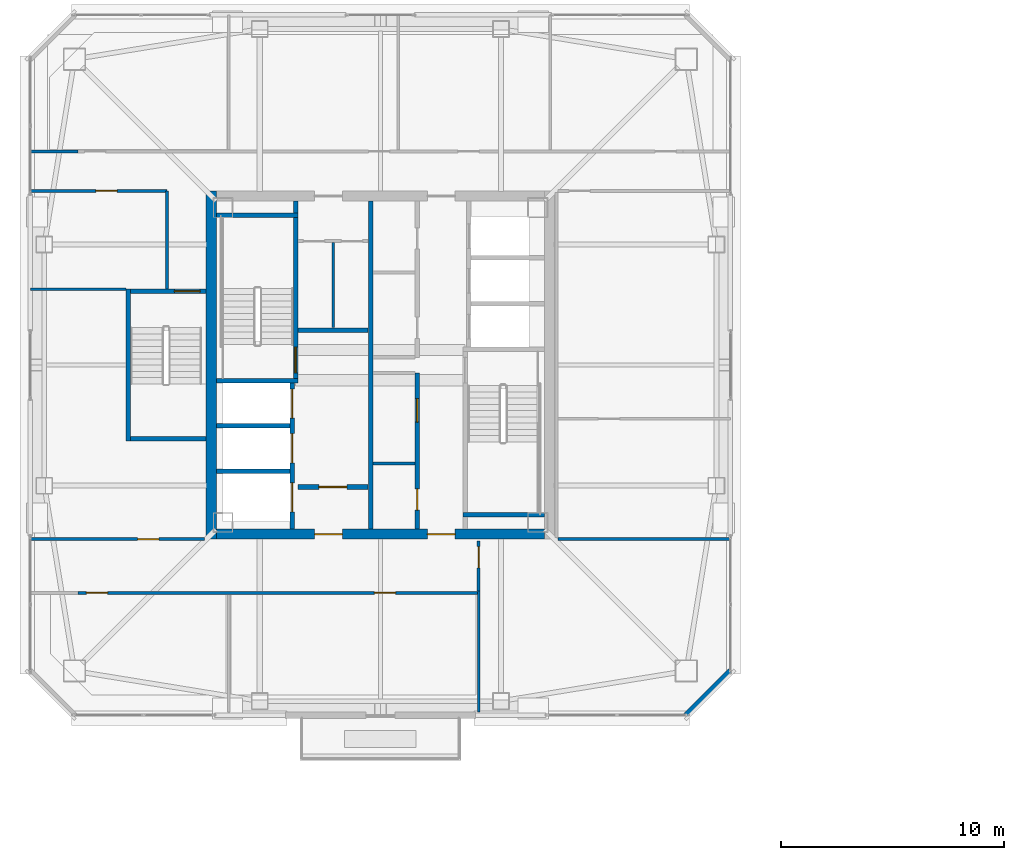
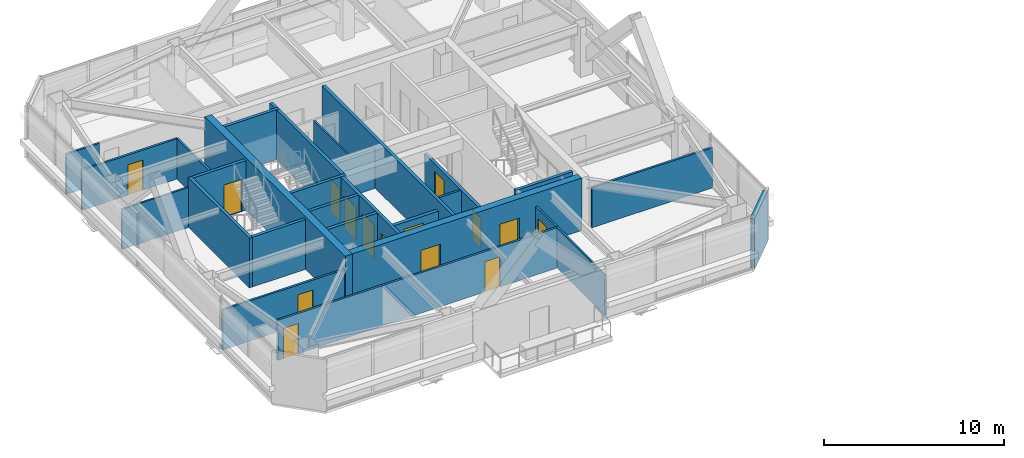
# One storey, part 30 of 39: 28 walls, 15 doors, 15 openings.
"""IFC4 building model written with IfcOpenShell, lengths in metres."""

from ifc_helpers import new_model, si_unit, direction, frame, frame_2d, origin, place, context, subcontext, project, spatial, rectangle, extrude, material, layer, layer_set, type_object, element, fill, save


model = new_model("IFC4")

# Units and contexts
model_context = context("Model", 3, precision=1e-05, world=origin(), true_north=direction((0.0, 1.0)))
body_context = subcontext(model_context, "Body", "Model", "MODEL_VIEW")
ifc_project = project(units=[si_unit("LENGTHUNIT", "METRE"), si_unit("AREAUNIT", "SQUARE_METRE"), si_unit("VOLUMEUNIT", "CUBIC_METRE"), si_unit("PLANEANGLEUNIT", "RADIAN"), si_unit("MASSUNIT", "GRAM", prefix="KILO")], contexts=[model_context])

# Site, building, storey
site_placement = place(None, origin())
site = spatial("IfcSite", under=ifc_project, at=site_placement, CompositionType="ELEMENT")
building_placement = place(site_placement, origin())
building = spatial("IfcBuilding", under=site, at=building_placement, Name="Tashvorn Skyway Center", CompositionType="ELEMENT")
storey_placement = place(building_placement, frame((0.0, 0.0, 239.699951171875)))
storey = spatial("IfcBuildingStorey", under=building, at=storey_placement, Name="L65", CompositionType="ELEMENT", Elevation=239.699951171875)

# Wall
ifc_material_1 = material(Name="Concrete C50/60", Category="concrete")
ifc_layer_1 = layer(ifc_material_1, 0.449951171875)
ifc_layer_set_1 = layer_set([ifc_layer_1], Name="Concrete C50/60")
wall_type_1 = type_object("IfcWallType", Name="WALL-CORE-450", PredefinedType="SHEAR", material=ifc_layer_set_1)
wall_1_placement = place(storey_placement, frame((34.425048828125, 24.199951171875, 0.0), z_axis=(0.0, 0.0, 1.0), x_axis=(0.0, 1.0, 0.0)))
element("IfcWall", 1, at=wall_1_placement, inside=storey, type_object=wall_type_1, Name="Tower 1 L65 West Core Shear Wall", PredefinedType="SHEAR", context=body_context, shape_type="SweptSolid", body=[
    extrude(rectangle(XDim=15.60009765625, YDim=0.449951171875, at=frame_2d((7.800048828125, 0.0))), origin(), (0.0, 0.0, 1.0), 3.550048828125),
])

# Wall, openings, doors
wall_2_placement = place(storey_placement, frame((49.35009765625, 24.425048828125, 0.0), z_axis=(0.0, 0.0, 1.0), x_axis=(-1.0, 0.0, 0.0)))
wall_2 = element("IfcWall", 2, at=wall_2_placement, inside=storey, type_object=wall_type_1, Name="Tower 1 L65 South Core Shear Wall", PredefinedType="SHEAR", context=body_context, shape_type="SweptSolid", body=[
    extrude(rectangle(XDim=14.7001953125, YDim=0.449951171875, at=frame_2d((7.35009765625, 0.0))), origin(), (0.0, 0.0, 1.0), 3.550048828125),
])
opening_1_placement = place(wall_2_placement, frame((9.050048828125, 0.0, 0.0)))
opening_1 = element("IfcOpeningElement", 3, at=opening_1_placement, cuts=wall_2, Name="Opening D-FFL-1250", PredefinedType="OPENING", context=body_context, shape_type="SweptSolid", body=[
    extrude(rectangle(XDim=1.25, YDim=2.25, at=frame_2d((0.625, 1.125))), frame((0.0, 0.23486328125, 0.0), z_axis=(0.0, -1.0, 0.0), x_axis=(1.0, 0.0, 0.0)), (0.0, 0.0, 1.0), 0.469970703125),
])
opening_2_placement = place(wall_2_placement, frame((4.0, 0.0, 0.0)))
opening_2 = element("IfcOpeningElement", 4, at=opening_2_placement, cuts=wall_2, Name="Opening D-FFL-1250", PredefinedType="OPENING", context=body_context, shape_type="SweptSolid", body=[
    extrude(rectangle(XDim=1.25, YDim=2.25, at=frame_2d((0.625, 1.125))), frame((0.0, 0.23486328125, 0.0), z_axis=(0.0, -1.0, 0.0), x_axis=(1.0, 0.0, 0.0)), (0.0, 0.0, 1.0), 0.469970703125),
])
ifc_material_2 = material(Name="Hollow galvanized steel fire door assembly", Category="steel")
door_type_1 = type_object("IfcDoorType", Name="DOOR-FFL-1250", OperationType="NOTDEFINED", PredefinedType="DOOR", material=ifc_material_2)
door_1_placement = place(opening_1_placement, origin())
door_1 = element("IfcDoor", 5, at=door_1_placement, inside=storey, type_object=door_type_1, Name="Tower 1 L65 Core South Firefighting Exit Door", OperationType="SINGLE_SWING_LEFT", OverallHeight=2.25, OverallWidth=1.25, PredefinedType="DOOR", context=body_context, shape_type="SweptSolid", body=[
    extrude(rectangle(XDim=1.25, YDim=2.25, at=frame_2d((0.625, 1.125))), frame((0.0, 0.02490234375, 0.0), z_axis=(0.0, -1.0, 0.0), x_axis=(1.0, 0.0, 0.0)), (0.0, 0.0, 1.0), 0.050048828125),
])
fill(opening_1, door_1)
door_2_placement = place(opening_2_placement, origin())
door_2 = element("IfcDoor", 6, at=door_2_placement, inside=storey, type_object=door_type_1, Name="Tower 1 L65 Core South Lift Lobby Door", OperationType="SINGLE_SWING_RIGHT", OverallHeight=2.25, OverallWidth=1.25, PredefinedType="DOOR", context=body_context, shape_type="SweptSolid", body=[
    extrude(rectangle(XDim=1.25, YDim=2.25, at=frame_2d((0.625, 1.125))), frame((0.0, 0.02490234375, 0.0), z_axis=(0.0, -1.0, 0.0), x_axis=(1.0, 0.0, 0.0)), (0.0, 0.0, 1.0), 0.050048828125),
])
fill(opening_2, door_2)

# Walls
ifc_material_3 = material(Name="Precast concrete C40/50", Category="concrete")
ifc_layer_2 = layer(ifc_material_3, 0.280029296875)
ifc_layer_set_2 = layer_set([ifc_layer_2], Name="Precast concrete C40/50")
wall_type_2 = type_object("IfcWallType", Name="WALL-EXT-280", PredefinedType="SOLIDWALL", material=ifc_layer_set_2)
wall_3_placement = place(storey_placement, frame((57.699951171875, 18.300048828125, 0.0), z_axis=(0.0, 0.0, 1.0), x_axis=(-0.707106781187, -0.707106781187, 0.0)))
element("IfcWall", 7, at=wall_3_placement, inside=storey, type_object=wall_type_2, Name="Tower 1 L65 SE Precast Chamfer Wall", PredefinedType="SOLIDWALL", context=body_context, shape_type="SweptSolid", body=[
    extrude(rectangle(XDim=2.828369140625, YDim=0.280029296875, at=frame_2d((1.4140625, 0.0))), origin(), (0.0, 0.0, 1.0), 3.3701171875),
])
ifc_material_4 = material(Name="Concrete C40/50", Category="concrete")
ifc_layer_3 = layer(ifc_material_4, 0.219970703125)
ifc_layer_set_3 = layer_set([ifc_layer_3], Name="Concrete C40/50")
wall_type_3 = type_object("IfcWallType", Name="WALL-FFL-220", PredefinedType="SOLIDWALL", material=ifc_layer_set_3)
wall_4_placement = place(storey_placement, frame((38.300048828125, 33.56005859375, 0.0), z_axis=(0.0, 0.0, 1.0), x_axis=(1.0, 0.0, 0.0)))
element("IfcWall", 8, at=wall_4_placement, inside=storey, type_object=wall_type_3, Name="Tower 1 L65 Firefighting Lobby North Wall", PredefinedType="SOLIDWALL", context=body_context, shape_type="SweptSolid", body=[
    extrude(rectangle(XDim=3.14990234375, YDim=0.219970703125, at=frame_2d((1.574951171875, 0.0))), origin(), (0.0, 0.0, 1.0), 2.72314453125),
])

# Wall, opening, door
wall_5_placement = place(storey_placement, frame((38.300048828125, 26.5400390625, 0.0), z_axis=(0.0, 0.0, 1.0), x_axis=(1.0, 0.0, 0.0)))
wall_5 = element("IfcWall", 9, at=wall_5_placement, inside=storey, type_object=wall_type_3, Name="Tower 1 L65 Firefighting Lobby South Wall", PredefinedType="SOLIDWALL", context=body_context, shape_type="SweptSolid", body=[
    extrude(rectangle(XDim=3.14990234375, YDim=0.219970703125, at=frame_2d((1.574951171875, 0.0))), origin(), (0.0, 0.0, 1.0), 2.72314453125),
])
opening_3_placement = place(wall_5_placement, frame((0.949951171875, 0.0, 0.0)))
opening_3 = element("IfcOpeningElement", 10, at=opening_3_placement, cuts=wall_5, Name="Opening D-FFL-1250", PredefinedType="OPENING", context=body_context, shape_type="SweptSolid", body=[
    extrude(rectangle(XDim=1.25, YDim=2.25, at=frame_2d((0.625, 1.125))), frame((0.0, 0.119873046875, 0.0), z_axis=(0.0, -1.0, 0.0), x_axis=(1.0, 0.0, 0.0)), (0.0, 0.0, 1.0), 0.239990234375),
])
door_3_placement = place(opening_3_placement, origin())
door_3 = element("IfcDoor", 11, at=door_3_placement, inside=storey, type_object=door_type_1, Name="Tower 1 L65 Firefighting Lobby Egress Door", OperationType="SINGLE_SWING_LEFT", OverallHeight=2.25, OverallWidth=1.25, PredefinedType="DOOR", context=body_context, shape_type="SweptSolid", body=[
    extrude(rectangle(XDim=1.25, YDim=2.25, at=frame_2d((0.625, 1.125))), frame((0.0, 0.02490234375, 0.0), z_axis=(0.0, -1.0, 0.0), x_axis=(1.0, 0.0, 0.0)), (0.0, 0.0, 1.0), 0.050048828125),
])
fill(opening_3, door_3)

# Walls
ifc_material_5 = material(Name="Gypsum board on cold-formed steel stud framing", Category="steel")
ifc_layer_4 = layer(ifc_material_5, 0.110107421875)
ifc_layer_set_4 = layer_set([ifc_layer_4], Name="Gypsum board on cold-formed steel stud framing")
wall_type_4 = type_object("IfcWallType", Name="WALL-PART-110", PredefinedType="PARTITIONING", material=ifc_layer_set_4)
wall_6_placement = place(storey_placement, frame((46.39990234375, 16.469970703125, 0.0), z_axis=(0.0, 0.0, 1.0), x_axis=(0.0, 1.0, 0.0)))
element("IfcWall", 12, at=wall_6_placement, inside=storey, type_object=wall_type_4, Name="Tower 1 L65 South-East Suite Wall", PredefinedType="PARTITIONING", context=body_context, shape_type="SweptSolid", body=[
    extrude(rectangle(XDim=5.409912109375, YDim=0.110107421875, at=frame_2d((2.705078125, 0.0))), origin(), (0.0, 0.0, 1.0), 2.72314453125),
])
wall_7_placement = place(storey_placement, frame((30.60009765625, 35.39990234375, 0.0), z_axis=(0.0, 0.0, 1.0), x_axis=(-1.0, 0.0, 0.0)))
element("IfcWall", 13, at=wall_7_placement, inside=storey, type_object=wall_type_4, Name="Tower 1 L65 West Suite Partition 1", PredefinedType="PARTITIONING", context=body_context, shape_type="SweptSolid", body=[
    extrude(rectangle(XDim=4.280029296875, YDim=0.110107421875, at=frame_2d((2.14013671875, 0.0))), origin(), (0.0, 0.0, 1.0), 2.72314453125),
])
ifc_layer_5 = layer(ifc_material_5, 0.135009765625)
ifc_layer_set_5 = layer_set([ifc_layer_5], Name="Gypsum board on cold-formed steel stud framing")
wall_type_5 = type_object("IfcWallType", Name="WALL-PART-135", PredefinedType="PARTITIONING", material=ifc_layer_set_5)
wall_8_placement = place(storey_placement, frame((32.449951171875, 35.39990234375, 0.0), z_axis=(0.0, 0.0, 1.0), x_axis=(0.0, 1.0, 0.0)))
element("IfcWall", 14, at=wall_8_placement, inside=storey, type_object=wall_type_5, Name="Tower 1 L65 Stair 3 Access Corridor Wall", PredefinedType="PARTITIONING", context=body_context, shape_type="SweptSolid", body=[
    extrude(rectangle(XDim=4.400146484375, YDim=0.135009765625, at=frame_2d((2.2001953125, 0.0))), origin(), (0.0, 0.0, 1.0), 2.72314453125),
])
wall_9_placement = place(storey_placement, frame((26.320068359375, 41.570068359375, 0.0), z_axis=(0.0, 0.0, 1.0), x_axis=(1.0, 0.0, 0.0)))
element("IfcWall", 15, at=wall_9_placement, inside=storey, type_object=wall_type_5, Name="Tower 1 L65 North-West Suite South Wall", PredefinedType="PARTITIONING", context=body_context, shape_type="SweptSolid", body=[
    extrude(rectangle(XDim=2.1298828125, YDim=0.135009765625, at=frame_2d((1.06494140625, 0.0))), origin(), (0.0, 0.0, 1.0), 2.72314453125),
])

# Wall, openings, doors
wall_10_placement = place(storey_placement, frame((46.39990234375, 21.800048828125, 0.0), z_axis=(0.0, 0.0, 1.0), x_axis=(-1.0, 0.0, 0.0)))
wall_10 = element("IfcWall", 16, at=wall_10_placement, inside=storey, type_object=wall_type_5, Name="Tower 1 L65 South Suite Wall", PredefinedType="PARTITIONING", context=body_context, shape_type="SweptSolid", body=[
    extrude(rectangle(XDim=17.949951171875, YDim=0.135009765625, at=frame_2d((8.97509765625, 0.0))), origin(), (0.0, 0.0, 1.0), 2.72314453125),
])
opening_4_placement = place(wall_10_placement, frame((16.6201171875, 0.0, 0.0)))
opening_4 = element("IfcOpeningElement", 17, at=opening_4_placement, cuts=wall_10, Name="Opening D-INT-950", PredefinedType="OPENING", context=body_context, shape_type="SweptSolid", body=[
    extrude(rectangle(XDim=0.949951171875, YDim=2.050048828125, at=frame_2d((0.47509765625, 1.02490234375))), frame((0.0, 0.077392578125, 0.0), z_axis=(0.0, -1.0, 0.0), x_axis=(1.0, 0.0, 0.0)), (0.0, 0.0, 1.0), 0.155029296875),
])
opening_5_placement = place(wall_10_placement, frame((3.71435546875, 0.0, 0.0)))
opening_5 = element("IfcOpeningElement", 18, at=opening_5_placement, cuts=wall_10, Name="Opening D-INT-950", PredefinedType="OPENING", context=body_context, shape_type="SweptSolid", body=[
    extrude(rectangle(XDim=0.949951171875, YDim=2.050048828125, at=frame_2d((0.47509765625, 1.02490234375))), frame((0.0, 0.077392578125, 0.0), z_axis=(0.0, -1.0, 0.0), x_axis=(1.0, 0.0, 0.0)), (0.0, 0.0, 1.0), 0.155029296875),
])
ifc_material_6 = material(Name="Solid-core architectural oak veneer door")
door_type_2 = type_object("IfcDoorType", Name="DOOR-INT-950", OperationType="NOTDEFINED", PredefinedType="DOOR", material=ifc_material_6)
door_4_placement = place(opening_4_placement, origin())
door_4 = element("IfcDoor", 19, at=door_4_placement, inside=storey, type_object=door_type_2, Name="Tower 1 L65 Gallery Showroom Door", OperationType="SINGLE_SWING_RIGHT", OverallHeight=2.050048828125, OverallWidth=0.949951171875, PredefinedType="DOOR", context=body_context, shape_type="SweptSolid", body=[
    extrude(rectangle(XDim=0.949951171875, YDim=2.050048828125, at=frame_2d((0.47509765625, 1.02490234375))), frame((0.0, 0.02490234375, 0.0), z_axis=(0.0, -1.0, 0.0), x_axis=(1.0, 0.0, 0.0)), (0.0, 0.0, 1.0), 0.050048828125),
])
fill(opening_4, door_4)
door_5_placement = place(opening_5_placement, origin())
door_5 = element("IfcDoor", 20, at=door_5_placement, inside=storey, type_object=door_type_2, Name="Tower 1 L65 Corporate Office Door", OperationType="SINGLE_SWING_LEFT", OverallHeight=2.050048828125, OverallWidth=0.949951171875, PredefinedType="DOOR", context=body_context, shape_type="SweptSolid", body=[
    extrude(rectangle(XDim=0.949951171875, YDim=2.050048828125, at=frame_2d((0.47509765625, 1.02490234375))), frame((0.0, 0.02490234375, 0.0), z_axis=(0.0, -1.0, 0.0), x_axis=(1.0, 0.0, 0.0)), (0.0, 0.0, 1.0), 0.050048828125),
])
fill(opening_5, door_5)

# Wall, opening, door
wall_11_placement = place(storey_placement, frame((46.39990234375, 24.1201171875, 0.0), z_axis=(0.0, 0.0, 1.0), x_axis=(0.0, -1.0, 0.0)))
wall_11 = element("IfcWall", 21, at=wall_11_placement, inside=storey, type_object=wall_type_5, Name="Tower 1 L65 South Gallery End Wall", PredefinedType="PARTITIONING", context=body_context, shape_type="SweptSolid", body=[
    extrude(rectangle(XDim=2.240234375, YDim=0.135009765625, at=frame_2d((1.1201171875, 0.0))), origin(), (0.0, 0.0, 1.0), 2.72314453125),
])
opening_6_placement = place(wall_11_placement, frame((0.25, 0.0, 0.0)))
opening_6 = element("IfcOpeningElement", 22, at=opening_6_placement, cuts=wall_11, Name="Opening D-INT-950", PredefinedType="OPENING", context=body_context, shape_type="SweptSolid", body=[
    extrude(rectangle(XDim=0.949951171875, YDim=2.050048828125, at=frame_2d((0.47509765625, 1.02490234375))), frame((0.0, 0.077392578125, 0.0), z_axis=(0.0, -1.0, 0.0), x_axis=(1.0, 0.0, 0.0)), (0.0, 0.0, 1.0), 0.155029296875),
])
door_6_placement = place(opening_6_placement, origin())
door_6 = element("IfcDoor", 23, at=door_6_placement, inside=storey, type_object=door_type_2, Name="Tower 1 L65 Conference Room Door", OperationType="SINGLE_SWING_RIGHT", OverallHeight=2.050048828125, OverallWidth=0.949951171875, PredefinedType="DOOR", context=body_context, shape_type="SweptSolid", body=[
    extrude(rectangle(XDim=0.949951171875, YDim=2.050048828125, at=frame_2d((0.47509765625, 1.02490234375))), frame((0.0, 0.02490234375, 0.0), z_axis=(0.0, -1.0, 0.0), x_axis=(1.0, 0.0, 0.0)), (0.0, 0.0, 1.0), 0.050048828125),
])
fill(opening_6, door_6)

# Wall
wall_12_placement = place(storey_placement, frame((49.9599609375, 24.199951171875, 0.0), z_axis=(0.0, 0.0, 1.0), x_axis=(1.0, 0.0, 0.0)))
element("IfcWall", 24, at=wall_12_placement, inside=storey, type_object=wall_type_5, Name="Tower 1 L65 East Suite South Wall", PredefinedType="PARTITIONING", context=body_context, shape_type="SweptSolid", body=[
    extrude(rectangle(XDim=7.719970703125, YDim=0.135009765625, at=frame_2d((3.85986328125, 0.0))), origin(), (0.0, 0.0, 1.0), 2.72314453125),
])

# Wall, opening, door
wall_13_placement = place(storey_placement, frame((32.449951171875, 39.800048828125, 0.0), z_axis=(0.0, 0.0, 1.0), x_axis=(-1.0, 0.0, 0.0)))
wall_13 = element("IfcWall", 25, at=wall_13_placement, inside=storey, type_object=wall_type_5, Name="Tower 1 L65 West Suite North Wall", PredefinedType="PARTITIONING", context=body_context, shape_type="SweptSolid", body=[
    extrude(rectangle(XDim=6.1298828125, YDim=0.135009765625, at=frame_2d((3.06494140625, 0.0))), origin(), (0.0, 0.0, 1.0), 2.72314453125),
])
opening_7_placement = place(wall_13_placement, frame((2.239990234375, 0.0, 0.0)))
opening_7 = element("IfcOpeningElement", 26, at=opening_7_placement, cuts=wall_13, Name="Opening D-INT-950", PredefinedType="OPENING", context=body_context, shape_type="SweptSolid", body=[
    extrude(rectangle(XDim=0.949951171875, YDim=2.050048828125, at=frame_2d((0.47509765625, 1.02490234375))), frame((0.0, 0.077392578125, 0.0), z_axis=(0.0, -1.0, 0.0), x_axis=(1.0, 0.0, 0.0)), (0.0, 0.0, 1.0), 0.155029296875),
])
door_7_placement = place(opening_7_placement, origin())
door_7 = element("IfcDoor", 27, at=door_7_placement, inside=storey, type_object=door_type_2, Name="Tower 1 L65 Collaborative Studio Door", OperationType="SINGLE_SWING_LEFT", OverallHeight=2.050048828125, OverallWidth=0.949951171875, PredefinedType="DOOR", context=body_context, shape_type="SweptSolid", body=[
    extrude(rectangle(XDim=0.949951171875, YDim=2.050048828125, at=frame_2d((0.47509765625, 1.02490234375))), frame((0.0, 0.02490234375, 0.0), z_axis=(0.0, -1.0, 0.0), x_axis=(1.0, 0.0, 0.0)), (0.0, 0.0, 1.0), 0.050048828125),
])
fill(opening_7, door_7)

wall_14_placement = place(storey_placement, frame((26.320068359375, 24.199951171875, 0.0), z_axis=(0.0, 0.0, 1.0), x_axis=(1.0, 0.0, 0.0)))
wall_14 = element("IfcWall", 28, at=wall_14_placement, inside=storey, type_object=wall_type_5, Name="Tower 1 L65 West Suite South Wall", PredefinedType="PARTITIONING", context=body_context, shape_type="SweptSolid", body=[
    extrude(rectangle(XDim=7.800048828125, YDim=0.135009765625, at=frame_2d((3.89990234375, 0.0))), origin(), (0.0, 0.0, 1.0), 2.72314453125),
])
opening_8_placement = place(wall_14_placement, frame((4.804931640625, 0.0, 0.0)))
opening_8 = element("IfcOpeningElement", 29, at=opening_8_placement, cuts=wall_14, Name="Opening D-INT-950", PredefinedType="OPENING", context=body_context, shape_type="SweptSolid", body=[
    extrude(rectangle(XDim=0.949951171875, YDim=2.050048828125, at=frame_2d((0.47509765625, 1.02490234375))), frame((0.0, 0.077392578125, 0.0), z_axis=(0.0, -1.0, 0.0), x_axis=(1.0, 0.0, 0.0)), (0.0, 0.0, 1.0), 0.155029296875),
])
door_8_placement = place(opening_8_placement, origin())
door_8 = element("IfcDoor", 30, at=door_8_placement, inside=storey, type_object=door_type_2, Name="Tower 1 L65 Public Restroom Door", OperationType="SINGLE_SWING_RIGHT", OverallHeight=2.050048828125, OverallWidth=0.949951171875, PredefinedType="DOOR", context=body_context, shape_type="SweptSolid", body=[
    extrude(rectangle(XDim=0.949951171875, YDim=2.050048828125, at=frame_2d((0.47509765625, 1.02490234375))), frame((0.0, 0.02490234375, 0.0), z_axis=(0.0, -1.0, 0.0), x_axis=(1.0, 0.0, 0.0)), (0.0, 0.0, 1.0), 0.050048828125),
])
fill(opening_8, door_8)

# Walls
ifc_layer_6 = layer(ifc_material_5, 0.110107421875)
ifc_layer_set_6 = layer_set([ifc_layer_6], Name="Gypsum board on cold-formed steel stud framing")
wall_type_6 = type_object("IfcWallType", Name="WALL-RATED-110", PredefinedType="PARTITIONING", material=ifc_layer_set_6)
wall_15_placement = place(storey_placement, frame((39.8798828125, 33.679931640625, 0.0), z_axis=(0.0, 0.0, 1.0), x_axis=(0.0, 1.0, 0.0)))
element("IfcWall", 31, at=wall_15_placement, inside=storey, type_object=wall_type_6, Name="Tower 1 L65 Core Split Partition", PredefinedType="PARTITIONING", context=body_context, shape_type="SweptSolid", body=[
    extrude(rectangle(XDim=3.800048828125, YDim=0.110107421875, at=frame_2d((1.89990234375, 0.0))), origin(), (0.0, 0.0, 1.0), 2.72314453125),
])
ifc_layer_7 = layer(ifc_material_5, 0.135009765625)
ifc_layer_set_7 = layer_set([ifc_layer_7], Name="Gypsum board on cold-formed steel stud framing")
wall_type_7 = type_object("IfcWallType", Name="WALL-RATED-135", PredefinedType="PARTITIONING", material=ifc_layer_set_7)
wall_16_placement = place(storey_placement, frame((41.669921875, 27.60009765625, 0.0), z_axis=(0.0, 0.0, 1.0), x_axis=(1.0, 0.0, 0.0)))
element("IfcWall", 32, at=wall_16_placement, inside=storey, type_object=wall_type_7, Name="Tower 1 L65 Freed Core Partition", PredefinedType="PARTITIONING", context=body_context, shape_type="SweptSolid", body=[
    extrude(rectangle(XDim=1.880126953125, YDim=0.135009765625, at=frame_2d((0.93994140625, 0.0))), origin(), (0.0, 0.0, 1.0), 2.72314453125),
])
ifc_layer_8 = layer(ifc_material_4, 0.199951171875)
ifc_layer_set_8 = layer_set([ifc_layer_8], Name="Concrete C40/50")
wall_type_8 = type_object("IfcWallType", Name="WALL-SHAFT-200", PredefinedType="SOLIDWALL", material=ifc_layer_set_8)
for number, where, z_axis, x_axis, name in (
    (33, (34.64990234375, 27.25, 0.0), (0.0, 0.0, 1.0), (1.0, 0.0, 0.0), "Tower 1 L65 FSAE Shaft Divider"),
    (34, (34.64990234375, 29.280029296875, 0.0), (0.0, 0.0, 1.0), (1.0, 0.0, 0.0), "Tower 1 L65 FSAE Shaft Divider"),
):
    element("IfcWall", number, at=place(storey_placement, frame(where, z_axis=z_axis, x_axis=x_axis)), inside=storey, type_object=wall_type_8, Name=name, PredefinedType="SOLIDWALL", context=body_context, shape_type="SweptSolid", body=[
        extrude(rectangle(XDim=3.300048828125, YDim=0.199951171875, at=frame_2d((1.64990234375, 0.0))), origin(), (0.0, 0.0, 1.0), 3.3701171875),
    ])

# Wall, openings, doors
wall_17_placement = place(storey_placement, frame((43.64990234375, 24.64990234375, 0.0), z_axis=(0.0, 0.0, 1.0), x_axis=(0.0, 1.0, 0.0)))
wall_17 = element("IfcWall", 35, at=wall_17_placement, inside=storey, type_object=wall_type_8, Name="Tower 1 L65 Low-Rise Core Wall", PredefinedType="SOLIDWALL", context=body_context, shape_type="SweptSolid", body=[
    extrude(rectangle(XDim=7.0, YDim=0.199951171875, at=frame_2d((3.5, 0.0))), origin(), (0.0, 0.0, 1.0), 2.72314453125),
])
opening_9_placement = place(wall_17_placement, frame((0.85009765625, 0.0, 0.0)))
opening_9 = element("IfcOpeningElement", 36, at=opening_9_placement, cuts=wall_17, Name="Opening D-RT-950", PredefinedType="OPENING", context=body_context, shape_type="SweptSolid", body=[
    extrude(rectangle(XDim=0.949951171875, YDim=2.050048828125, at=frame_2d((0.47509765625, 1.02490234375))), frame((0.0, 0.10986328125, 0.0), z_axis=(0.0, -1.0, 0.0), x_axis=(1.0, 0.0, 0.0)), (0.0, 0.0, 1.0), 0.219970703125),
])
opening_10_placement = place(wall_17_placement, frame((4.800048828125, 0.0, 0.0)))
opening_10 = element("IfcOpeningElement", 37, at=opening_10_placement, cuts=wall_17, Name="Opening D-RT-1050", PredefinedType="OPENING", context=body_context, shape_type="SweptSolid", body=[
    extrude(rectangle(XDim=1.050048828125, YDim=2.199951171875, at=frame_2d((0.52490234375, 1.10009765625))), frame((0.0, 0.10986328125, 0.0), z_axis=(0.0, -1.0, 0.0), x_axis=(1.0, 0.0, 0.0)), (0.0, 0.0, 1.0), 0.219970703125),
])
door_type_3 = type_object("IfcDoorType", Name="DOOR-RATED-1050", OperationType="NOTDEFINED", PredefinedType="DOOR", material=ifc_material_2)
door_9_placement = place(opening_10_placement, origin())
door_9 = element("IfcDoor", 38, at=door_9_placement, inside=storey, type_object=door_type_3, Name="Tower 1 L65 Freed Core Room Door", OperationType="SINGLE_SWING_RIGHT", OverallHeight=2.199951171875, OverallWidth=1.050048828125, PredefinedType="DOOR", context=body_context, shape_type="SweptSolid", body=[
    extrude(rectangle(XDim=1.050048828125, YDim=2.199951171875, at=frame_2d((0.52490234375, 1.10009765625))), frame((0.0, 0.02490234375, 0.0), z_axis=(0.0, -1.0, 0.0), x_axis=(1.0, 0.0, 0.0)), (0.0, 0.0, 1.0), 0.050048828125),
])
fill(opening_10, door_9)
door_type_4 = type_object("IfcDoorType", Name="DOOR-RATED-950", OperationType="NOTDEFINED", PredefinedType="DOOR", material=ifc_material_2)
door_10_placement = place(opening_9_placement, origin())
door_10 = element("IfcDoor", 39, at=door_10_placement, inside=storey, type_object=door_type_4, Name="Tower 1 L65 Core Print Room Door", OperationType="SINGLE_SWING_LEFT", OverallHeight=2.050048828125, OverallWidth=0.949951171875, PredefinedType="DOOR", context=body_context, shape_type="SweptSolid", body=[
    extrude(rectangle(XDim=0.949951171875, YDim=2.050048828125, at=frame_2d((0.47509765625, 1.02490234375))), frame((0.0, 0.02490234375, 0.0), z_axis=(0.0, -1.0, 0.0), x_axis=(1.0, 0.0, 0.0)), (0.0, 0.0, 1.0), 0.050048828125),
])
fill(opening_9, door_10)

# Wall, opening, door
ifc_layer_9 = layer(ifc_material_4, 0.199951171875)
ifc_layer_set_9 = layer_set([ifc_layer_9], Name="Concrete C40/50")
wall_type_9 = type_object("IfcWallType", Name="WALL-STSHF-200", PredefinedType="SHEAR", material=ifc_layer_set_9)
wall_18_placement = place(storey_placement, frame((38.199951171875, 31.199951171875, 0.0), z_axis=(0.0, 0.0, 1.0), x_axis=(0.0, 1.0, 0.0)))
wall_18 = element("IfcWall", 40, at=wall_18_placement, inside=storey, type_object=wall_type_9, Name="Tower 1 L65 Stair 1 Enclosure Wall", PredefinedType="SHEAR", context=body_context, shape_type="SweptSolid", body=[
    extrude(rectangle(XDim=8.150146484375, YDim=0.199951171875, at=frame_2d((4.0751953125, 0.0))), origin(), (0.0, 0.0, 1.0), 3.3701171875),
])
opening_11_placement = place(wall_18_placement, frame((0.449951171875, 0.0, 0.0)))
opening_11 = element("IfcOpeningElement", 41, at=opening_11_placement, cuts=wall_18, Name="Opening D-ST-1150", PredefinedType="OPENING", context=body_context, shape_type="SweptSolid", body=[
    extrude(rectangle(XDim=1.14990234375, YDim=2.199951171875, at=frame_2d((0.574951171875, 1.10009765625))), frame((0.0, 0.10986328125, 0.0), z_axis=(0.0, -1.0, 0.0), x_axis=(1.0, 0.0, 0.0)), (0.0, 0.0, 1.0), 0.219970703125),
])
door_type_5 = type_object("IfcDoorType", Name="DOOR-STAIR-1150", OperationType="NOTDEFINED", PredefinedType="DOOR", material=ifc_material_2)
door_11_placement = place(opening_11_placement, origin())
door_11 = element("IfcDoor", 42, at=door_11_placement, inside=storey, type_object=door_type_5, Name="Tower 1 L65 Exit Stair 1 Door", OperationType="SINGLE_SWING_RIGHT", OverallHeight=2.199951171875, OverallWidth=1.14990234375, PredefinedType="DOOR", context=body_context, shape_type="SweptSolid", body=[
    extrude(rectangle(XDim=1.14990234375, YDim=2.199951171875, at=frame_2d((0.574951171875, 1.10009765625))), frame((0.0, 0.02490234375, 0.0), z_axis=(0.0, -1.0, 0.0), x_axis=(1.0, 0.0, 0.0)), (0.0, 0.0, 1.0), 0.050048828125),
])
fill(opening_11, door_11)

# Walls
for number, where, z_axis, x_axis, name in (
    (43, (34.64990234375, 31.300048828125, 0.0), (0.0, 0.0, 1.0), (1.0, 0.0, 0.0), "Tower 1 L65 Stair 1 South Wall"),
    (44, (34.64990234375, 38.699951171875, 0.0), (0.0, 0.0, 1.0), (1.0, 0.0, 0.0), "Tower 1 L65 Stair 1 North Wall"),
    (45, (45.699951171875, 25.300048828125, 0.0), (0.0, 0.0, 1.0), (1.0, 0.0, 0.0), "Tower 1 L65 Stair 2 South Wall"),
):
    element("IfcWall", number, at=place(storey_placement, frame(where, z_axis=z_axis, x_axis=x_axis)), inside=storey, type_object=wall_type_9, Name=name, PredefinedType="SHEAR", context=body_context, shape_type="SweptSolid", body=[
        extrude(rectangle(XDim=3.650146484375, YDim=0.199951171875, at=frame_2d((1.8251953125, 0.0))), origin(), (0.0, 0.0, 1.0), 3.3701171875),
    ])
wall_19_placement = place(storey_placement, frame((41.56005859375, 24.64990234375, 0.0), z_axis=(0.0, 0.0, 1.0), x_axis=(0.0, 1.0, 0.0)))
element("IfcWall", 46, at=wall_19_placement, inside=storey, type_object=wall_type_9, Name="Tower 1 L65 Firefighting Lobby East Smoke Barrier", PredefinedType="SHEAR", context=body_context, shape_type="SweptSolid", body=[
    extrude(rectangle(XDim=14.7001953125, YDim=0.199951171875, at=frame_2d((7.35009765625, 0.0))), origin(), (0.0, 0.0, 1.0), 3.3701171875),
])

# Wall, openings, doors
wall_20_placement = place(storey_placement, frame((38.050048828125, 24.64990234375, 0.0), z_axis=(0.0, 0.0, 1.0), x_axis=(0.0, 1.0, 0.0)))
wall_20 = element("IfcWall", 47, at=wall_20_placement, inside=storey, type_object=wall_type_9, Name="Tower 1 L65 FSAE and Goods Shaft Front Wall", PredefinedType="SHEAR", context=body_context, shape_type="SweptSolid", body=[
    extrude(rectangle(XDim=6.550048828125, YDim=0.199951171875, at=frame_2d((3.27490234375, 0.0))), origin(), (0.0, 0.0, 1.0), 3.3701171875),
])
opening_12_placement = place(wall_20_placement, frame((4.97509765625, 0.0, 0.0)))
opening_12 = element("IfcOpeningElement", 48, at=opening_12_placement, cuts=wall_20, Name="Opening LD-FF-T1-1-L65", PredefinedType="OPENING", context=body_context, shape_type="SweptSolid", body=[
    extrude(rectangle(XDim=1.300048828125, YDim=2.25, at=frame_2d((0.64990234375, 1.125))), frame((0.0, 0.10986328125, 0.0), z_axis=(0.0, -1.0, 0.0), x_axis=(1.0, 0.0, 0.0)), (0.0, 0.0, 1.0), 0.219970703125),
])
opening_13_placement = place(wall_20_placement, frame((2.97509765625, 0.0, 0.0)))
opening_13 = element("IfcOpeningElement", 49, at=opening_13_placement, cuts=wall_20, Name="Opening LD-FF-T1-2-L65", PredefinedType="OPENING", context=body_context, shape_type="SweptSolid", body=[
    extrude(rectangle(XDim=1.300048828125, YDim=2.25, at=frame_2d((0.64990234375, 1.125))), frame((0.0, 0.10986328125, 0.0), z_axis=(0.0, -1.0, 0.0), x_axis=(1.0, 0.0, 0.0)), (0.0, 0.0, 1.0), 0.219970703125),
])
opening_14_placement = place(wall_20_placement, frame((0.77490234375, 0.0, 0.0)))
opening_14 = element("IfcOpeningElement", 50, at=opening_14_placement, cuts=wall_20, Name="Opening LD-GD-T1-1-L65", PredefinedType="OPENING", context=body_context, shape_type="SweptSolid", body=[
    extrude(rectangle(XDim=1.300048828125, YDim=2.25, at=frame_2d((0.64990234375, 1.125))), frame((0.0, 0.10986328125, 0.0), z_axis=(0.0, -1.0, 0.0), x_axis=(1.0, 0.0, 0.0)), (0.0, 0.0, 1.0), 0.219970703125),
])
ifc_material_7 = material(Name="Stainless steel heavy-duty landing door", Category="steel")
door_type_6 = type_object("IfcDoorType", Name="DOOR-LIFT-1300", OperationType="SLIDING_TO_LEFT", PredefinedType="DOOR", material=ifc_material_7)
door_12_placement = place(opening_12_placement, origin())
door_12 = element("IfcDoor", 51, at=door_12_placement, inside=storey, type_object=door_type_6, Name="Lift FF-T1-1 L65 Landing Door", OperationType="SLIDING_TO_LEFT", OverallHeight=2.25, OverallWidth=1.300048828125, PredefinedType="DOOR", context=body_context, shape_type="SweptSolid", body=[
    extrude(rectangle(XDim=1.300048828125, YDim=2.25, at=frame_2d((0.64990234375, 1.125))), frame((0.0, 0.02490234375, 0.0), z_axis=(0.0, -1.0, 0.0), x_axis=(1.0, 0.0, 0.0)), (0.0, 0.0, 1.0), 0.050048828125),
])
fill(opening_12, door_12)
door_13_placement = place(opening_13_placement, origin())
door_13 = element("IfcDoor", 52, at=door_13_placement, inside=storey, type_object=door_type_6, Name="Lift FF-T1-2 L65 Landing Door", OperationType="SLIDING_TO_LEFT", OverallHeight=2.25, OverallWidth=1.300048828125, PredefinedType="DOOR", context=body_context, shape_type="SweptSolid", body=[
    extrude(rectangle(XDim=1.300048828125, YDim=2.25, at=frame_2d((0.64990234375, 1.125))), frame((0.0, 0.02490234375, 0.0), z_axis=(0.0, -1.0, 0.0), x_axis=(1.0, 0.0, 0.0)), (0.0, 0.0, 1.0), 0.050048828125),
])
fill(opening_13, door_13)
door_14_placement = place(opening_14_placement, origin())
door_14 = element("IfcDoor", 53, at=door_14_placement, inside=storey, type_object=door_type_6, Name="Lift GD-T1-1 L65 Landing Door", OperationType="SLIDING_TO_LEFT", OverallHeight=2.25, OverallWidth=1.300048828125, PredefinedType="DOOR", context=body_context, shape_type="SweptSolid", body=[
    extrude(rectangle(XDim=1.300048828125, YDim=2.25, at=frame_2d((0.64990234375, 1.125))), frame((0.0, 0.02490234375, 0.0), z_axis=(0.0, -1.0, 0.0), x_axis=(1.0, 0.0, 0.0)), (0.0, 0.0, 1.0), 0.050048828125),
])
fill(opening_14, door_14)

# Wall
wall_21_placement = place(storey_placement, frame((30.699951171875, 28.60009765625, 0.0), z_axis=(0.0, 0.0, 1.0), x_axis=(0.0, 1.0, 0.0)))
element("IfcWall", 54, at=wall_21_placement, inside=storey, type_object=wall_type_9, Name="Tower 1 L65 Stair 3 Outer Wall", PredefinedType="SHEAR", context=body_context, shape_type="SweptSolid", body=[
    extrude(rectangle(XDim=6.7998046875, YDim=0.199951171875, at=frame_2d((3.39990234375, 0.0))), origin(), (0.0, 0.0, 1.0), 3.3701171875),
])

# Wall, opening, door
wall_22_placement = place(storey_placement, frame((34.199951171875, 35.300048828125, 0.0), z_axis=(0.0, 0.0, 1.0), x_axis=(-1.0, 0.0, 0.0)))
wall_22 = element("IfcWall", 55, at=wall_22_placement, inside=storey, type_object=wall_type_9, Name="Tower 1 L65 Stair 3 Enclosure Wall", PredefinedType="SHEAR", context=body_context, shape_type="SweptSolid", body=[
    extrude(rectangle(XDim=3.39990234375, YDim=0.199951171875, at=frame_2d((1.699951171875, 0.0))), origin(), (0.0, 0.0, 1.0), 3.3701171875),
])
opening_15_placement = place(wall_22_placement, frame((0.27490234375, 0.0, 0.0)))
opening_15 = element("IfcOpeningElement", 56, at=opening_15_placement, cuts=wall_22, Name="Opening D-ST-1150", PredefinedType="OPENING", context=body_context, shape_type="SweptSolid", body=[
    extrude(rectangle(XDim=1.14990234375, YDim=2.199951171875, at=frame_2d((0.574951171875, 1.10009765625))), frame((0.0, 0.10986328125, 0.0), z_axis=(0.0, -1.0, 0.0), x_axis=(1.0, 0.0, 0.0)), (0.0, 0.0, 1.0), 0.219970703125),
])
door_15_placement = place(opening_15_placement, origin())
door_15 = element("IfcDoor", 57, at=door_15_placement, inside=storey, type_object=door_type_5, Name="Tower 1 L65 Exit Stair 3 Door", OperationType="SINGLE_SWING_RIGHT", OverallHeight=2.199951171875, OverallWidth=1.14990234375, PredefinedType="DOOR", context=body_context, shape_type="SweptSolid", body=[
    extrude(rectangle(XDim=1.14990234375, YDim=2.199951171875, at=frame_2d((0.574951171875, 1.10009765625))), frame((0.0, 0.02490234375, 0.0), z_axis=(0.0, -1.0, 0.0), x_axis=(1.0, 0.0, 0.0)), (0.0, 0.0, 1.0), 0.050048828125),
])
fill(opening_15, door_15)

# Wall
wall_23_placement = place(storey_placement, frame((30.800048828125, 28.699951171875, 0.0), z_axis=(0.0, 0.0, 1.0), x_axis=(1.0, 0.0, 0.0)))
element("IfcWall", 58, at=wall_23_placement, inside=storey, type_object=wall_type_9, Name="Tower 1 L65 Stair 3 South Wall", PredefinedType="SHEAR", context=body_context, shape_type="SweptSolid", body=[
    extrude(rectangle(XDim=3.39990234375, YDim=0.199951171875, at=frame_2d((1.699951171875, 0.0))), origin(), (0.0, 0.0, 1.0), 3.3701171875),
])

save(model, "model.ifc")
